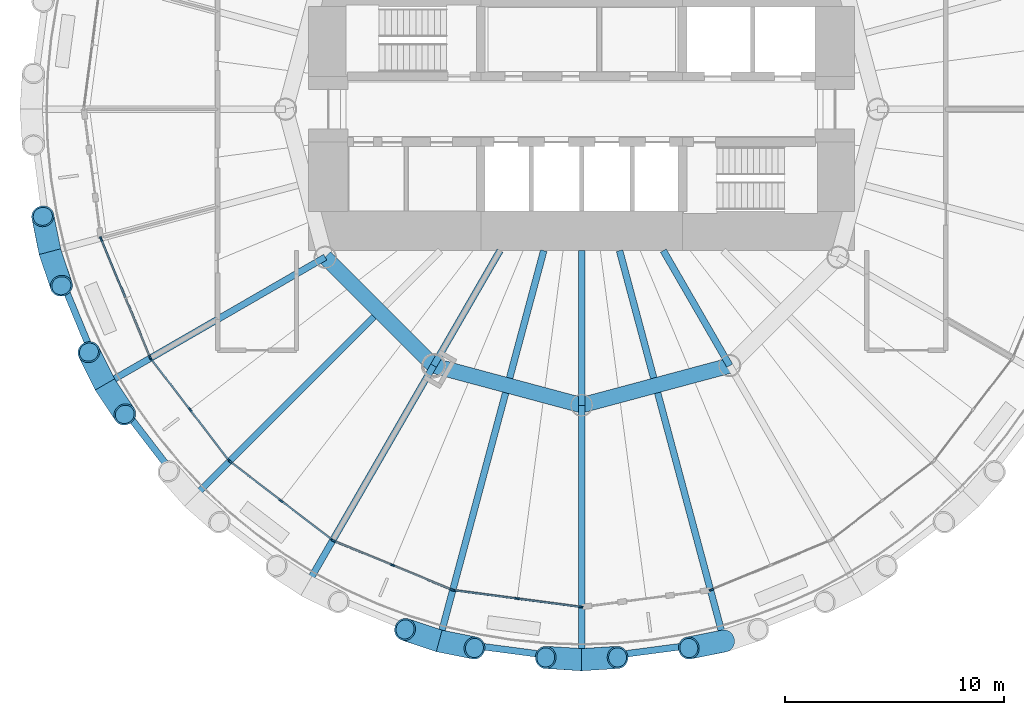
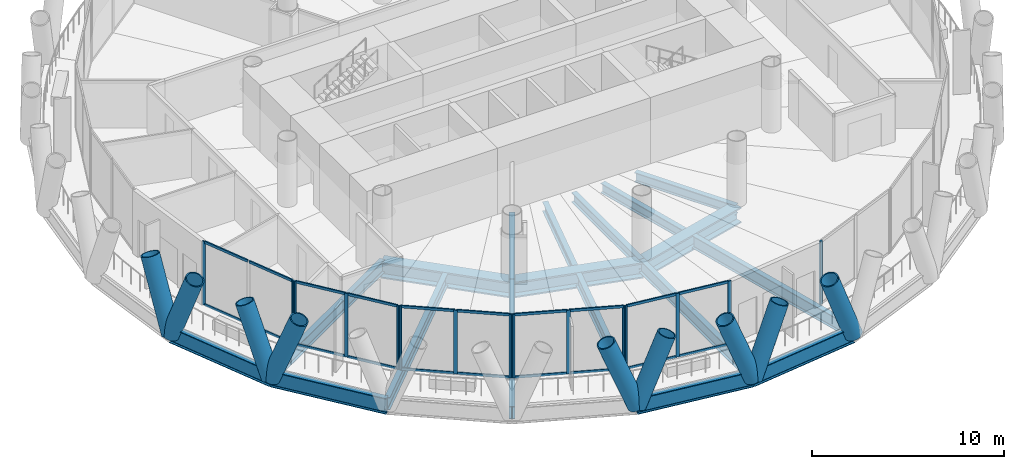
# One storey, part 2 of 14: 44 members, 18 beams, 6 elements without a shape of their own.
"""IFC4 building model written with IfcOpenShell, lengths in metres."""

import ifcopenshell
import ifcopenshell.guid

model = None  # the IFC model being written
_history = None  # IfcOwnerHistory: only IFC2X3 demands one
_inside = {}  # id of a spatial element -> (the spatial element, [elements in it])
_under = {}  # id of a project, library or spatial element -> (it, [spatial elements below it])
_declared = {}  # id of a project -> (the project, [libraries it declares])
_typed = {}  # id of a type object -> (the type object, [elements of that type])
_made_of = {}  # id of a material, layer set ... -> (it, [elements and type objects made of it])


def new_model(schema):
    """Start an empty IFC model of exactly this schema.

    Asked for "IFC4X3", IfcOpenShell would pick the latest addendum, in which some entities
    have other attributes; the version numbers below select the first issue.
    IFC2X3 requires an IfcOwnerHistory on every rooted entity: one is made here for all.
    """
    global model, _history
    if schema == "IFC4X3":
        model = ifcopenshell.file(schema_version=(4, 3, 0, 0))
    else:
        model = ifcopenshell.file(schema=schema)
    _inside.clear()
    _under.clear()
    _declared.clear()
    _typed.clear()
    _made_of.clear()
    _history = None
    if model.schema == "IFC2X3":
        org = make("IfcOrganization", Name="unknown")
        user = make(
            "IfcPersonAndOrganization",
            ThePerson=make("IfcPerson", FamilyName="unknown"),
            TheOrganization=org,
        )
        app = make(
            "IfcApplication",
            ApplicationDeveloper=org,
            Version="unknown",
            ApplicationFullName="unknown",
            ApplicationIdentifier="unknown",
        )
        _history = make(
            "IfcOwnerHistory",
            OwningUser=user,
            OwningApplication=app,
            ChangeAction="ADDED",
            CreationDate=0,
        )
    return model


def make(cls, **values):
    """One entity of the class cls with the attributes given. An attribute that is None is left unset."""
    return model.create_entity(
        cls, **{name: value for name, value in values.items() if value is not None}
    )


def rooted(cls, **values):
    """An entity with a GlobalId (a new one), such as an element, a storey or a relation."""
    return make(cls, GlobalId=ifcopenshell.guid.new(), OwnerHistory=_history, **values)


def si_unit(unit_type, name, prefix=None):
    """IfcSIUnit, for example si_unit("LENGTHUNIT", "METRE", prefix="MILLI")."""
    return make("IfcSIUnit", UnitType=unit_type, Prefix=prefix, Name=name)


def assignment(units):
    """IfcUnitAssignment: the units of a project."""
    return None if units is None else make("IfcUnitAssignment", Units=units)


def point(xyz):
    """IfcCartesianPoint."""
    return None if xyz is None else make("IfcCartesianPoint", Coordinates=xyz)


def direction(xyz):
    """IfcDirection."""
    return None if xyz is None else make("IfcDirection", DirectionRatios=xyz)


def frame(location, z_axis=None, x_axis=None):
    """IfcAxis2Placement3D, a coordinate frame: its origin and axes. An axis left out is left unset."""
    return make(
        "IfcAxis2Placement3D",
        Location=point(location),
        Axis=direction(z_axis),
        RefDirection=direction(x_axis),
    )


def frame_2d(location, x_axis=None):
    """IfcAxis2Placement2D, a coordinate frame in the plane: its origin and x axis."""
    return make(
        "IfcAxis2Placement2D", Location=point(location), RefDirection=direction(x_axis)
    )


def origin():
    """The frame at (0, 0, 0) with its axes left unset."""
    return frame((0.0, 0.0, 0.0))


def origin_2d():
    """The frame at (0, 0) in the plane with its x axis left unset."""
    return frame_2d((0.0, 0.0))


def place(relative_to, where):
    """IfcLocalPlacement: puts the frame where relative to a parent placement (None: the world)."""
    return make(
        "IfcLocalPlacement", PlacementRelTo=relative_to, RelativePlacement=where
    )


def context(
    kind, dimensions, precision=None, world=None, true_north=None, identifier=None
):
    """IfcGeometricRepresentationContext, for example the 3D "Model" context."""
    return make(
        "IfcGeometricRepresentationContext",
        ContextIdentifier=identifier,
        ContextType=kind,
        CoordinateSpaceDimension=dimensions,
        Precision=precision,
        WorldCoordinateSystem=world,
        TrueNorth=true_north,
    )


def subcontext(parent, identifier, kind, view, scale=None):
    """IfcGeometricRepresentationSubContext, for example "Body" below "Model"."""
    return make(
        "IfcGeometricRepresentationSubContext",
        ContextIdentifier=identifier,
        ContextType=kind,
        ParentContext=parent,
        TargetScale=scale,
        TargetView=view,
    )


def project(units=None, contexts=None):
    """IfcProject with its units and contexts."""
    return rooted(
        "IfcProject",
        Name="project",
        RepresentationContexts=contexts,
        UnitsInContext=assignment(units),
    )


def spatial(cls, under=None, at=None, **own):
    """A site, building, storey or space (cls), placed at a placement, below another one or the project."""
    s = rooted(cls, ObjectPlacement=at, **own)
    if under is not None:
        _under.setdefault(under.id(), (under, []))[1].append(s)
    return s


def profile(cls, at=None, kind="AREA", **sizes):
    """A parametric profile (cls). Its sizes go by their IFC names, for example OverallWidth=200.0."""
    return make(cls, ProfileType=kind, Position=at, **sizes)


def rectangle(**sizes):
    """IfcRectangleProfileDef."""
    return profile("IfcRectangleProfileDef", **sizes)


def hollow_circle(**sizes):
    """IfcCircleHollowProfileDef."""
    return profile("IfcCircleHollowProfileDef", **sizes)


def i_section(**sizes):
    """IfcIShapeProfileDef."""
    return profile("IfcIShapeProfileDef", **sizes)


def extrude(swept, where, along, depth):
    """IfcExtrudedAreaSolid: the profile swept, set in the frame where, extruded along a direction by depth."""
    return make(
        "IfcExtrudedAreaSolid",
        SweptArea=swept,
        Position=where,
        ExtrudedDirection=direction(along),
        Depth=depth,
    )


def shape(context_of_items, identifier, shape_type, items):
    """IfcShapeRepresentation: the items that make up one representation, for example the "Body"."""
    return make(
        "IfcShapeRepresentation",
        ContextOfItems=context_of_items,
        RepresentationIdentifier=identifier,
        RepresentationType=shape_type,
        Items=items,
    )


def material(Name=None, Category=None):
    """IfcMaterial."""
    return make("IfcMaterial", Name=Name, Category=Category)


def material_profile(
    of_material, cross_section, Name=None, Category=None, Priority=None
):
    """IfcMaterialProfile: a cross section and its material."""
    return make(
        "IfcMaterialProfile",
        Name=Name,
        Material=of_material,
        Profile=cross_section,
        Priority=Priority,
        Category=Category,
    )


def profile_set(profiles, Name=None, composite=None):
    """IfcMaterialProfileSet."""
    return make(
        "IfcMaterialProfileSet",
        Name=Name,
        MaterialProfiles=profiles,
        CompositeProfile=composite,
    )


def made_of(thing, what):
    """Note that an element or type object is made of a material, layer set ...; save() writes the relation."""
    if what is not None:
        _made_of.setdefault(what.id(), (what, []))[1].append(thing)
    return thing


def type_object(cls, material=None, **own):
    """A type object (cls), such as IfcWallType, which elements share."""
    return made_of(rooted(cls, **own), material)


def element(
    cls,
    number,
    at=None,
    inside=None,
    cuts=None,
    type_object=None,
    material=None,
    context=None,
    identifier="Body",
    shape_type=None,
    held_by="IfcProductDefinitionShape",
    body=None,
    shapes=None,
    **own,
):
    """One element of the class cls, such as IfcWall. Its Tag is "e" and its number.

    at: its placement. inside: the storey or other place that contains it. cuts: it is an
    opening in that element (IfcRelVoidsElement). A single representation is given by context,
    identifier, shape_type and body (its items); several are given by shapes. held_by: the class
    of the entity that holds the representations. save() writes the other relations.
    """
    e = rooted(cls, Tag="e%d" % number, ObjectPlacement=at, **own)
    if body is not None:
        shapes = [shape(context, identifier, shape_type, body)]
    if shapes is not None:
        e.Representation = make(held_by, Representations=shapes)
    if inside is not None:
        _inside.setdefault(inside.id(), (inside, []))[1].append(e)
    if cuts is not None:
        rooted(
            "IfcRelVoidsElement", RelatingBuildingElement=cuts, RelatedOpeningElement=e
        )
    if type_object is not None:
        _typed.setdefault(type_object.id(), (type_object, []))[1].append(e)
    return made_of(e, material)


def aggregate(whole, parts):
    """IfcRelAggregates: a whole, such as a stair, and the parts it consists of."""
    return rooted("IfcRelAggregates", RelatingObject=whole, RelatedObjects=parts)


def save(model, path):
    """Write the relations noted so far, then the file.

    IfcRelAggregates (storeys below a building ...), IfcRelContainedInSpatialStructure (elements
    in a storey), IfcRelDefinesByType, IfcRelAssociatesMaterial and IfcRelDeclares: one each for
    every whole, place, type object, material and project.
    """
    for whole, parts in _under.values():
        aggregate(whole, parts)
    for where, things in _inside.values():
        rooted(
            "IfcRelContainedInSpatialStructure",
            RelatedElements=things,
            RelatingStructure=where,
        )
    for kind, things in _typed.values():
        rooted("IfcRelDefinesByType", RelatedObjects=things, RelatingType=kind)
    for what, things in _made_of.values():
        rooted("IfcRelAssociatesMaterial", RelatedObjects=things, RelatingMaterial=what)
    for by, libraries in _declared.values():
        rooted("IfcRelDeclares", RelatingContext=by, RelatedDefinitions=libraries)
    model.write(path)


model = new_model("IFC4")

# Units and contexts
model_context = context("Model", 3, precision=1e-05, world=origin(), true_north=direction((0.0, 1.0)))
body_context = subcontext(model_context, "Body", "Model", "MODEL_VIEW")
ifc_project = project(units=[si_unit("LENGTHUNIT", "METRE"), si_unit("AREAUNIT", "SQUARE_METRE"), si_unit("VOLUMEUNIT", "CUBIC_METRE"), si_unit("PLANEANGLEUNIT", "RADIAN"), si_unit("MASSUNIT", "GRAM", prefix="KILO")], contexts=[model_context])

# Site, building, storey
site_placement = place(None, origin())
site = spatial("IfcSite", under=ifc_project, at=site_placement, CompositionType="ELEMENT")
building_placement = place(site_placement, origin())
building = spatial("IfcBuilding", under=site, at=building_placement, Name="Qaws Media Tower", CompositionType="ELEMENT")
storey_placement = place(building_placement, frame((0.0, 0.0, 126.800048828125)))
storey = spatial("IfcBuildingStorey", under=building, at=storey_placement, Name="L28", CompositionType="ELEMENT", Elevation=126.800048828125)

# Curtain wall, members
ifc_material_1 = material(Name="Aluminium and clear glass", Category="aluminium")
curtain_wall_type = type_object("IfcCurtainWallType", Name="Unitised curtain wall CW-B", PredefinedType="NOTDEFINED", material=ifc_material_1)
curtain_wall_1_placement = place(storey_placement, origin())
curtain_wall_1 = element("IfcCurtainWall", 1, at=curtain_wall_1_placement, inside=storey, type_object=curtain_wall_type, Name="CWB curtain wall L28-14", PredefinedType="NOTDEFINED")
ifc_material_2 = material(Name="Aluminium mullion", Category="aluminium")
ifc_material_profile_1 = material_profile(ifc_material_2, rectangle(XDim=0.080078125, YDim=0.199951171875, at=origin_2d()), Name="80x200")
ifc_profile_set_1 = profile_set([ifc_material_profile_1], Name="Aluminium mullion")
member_type_1 = type_object("IfcMemberType", Name="Curtain wall mullion 80x200", PredefinedType="MULLION", material=ifc_profile_set_1)
member_1_placement = place(storey_placement, frame((38.0888671875, 44.087890625, 0.0), z_axis=(0.0, 0.0, 1.0), x_axis=(0.923879575765, 0.382683327941, 0.0)))
member_1 = element("IfcMember", 2, at=member_1_placement, type_object=member_type_1, Name="CWB mullion 1", PredefinedType="MULLION", context=body_context, shape_type="SweptSolid", body=[
    extrude(rectangle(XDim=0.080078125, YDim=0.199951171875, at=origin_2d()), origin(), (0.0, 0.0, 1.0), 4.0400390625),
])
member_2_placement = place(storey_placement, frame((40.325927734375, 38.68701171875, 0.0), z_axis=(0.0, 0.0, 1.0), x_axis=(0.923879575765, 0.382683327941, 0.0)))
member_2 = element("IfcMember", 3, at=member_2_placement, type_object=member_type_1, Name="CWB mullion 3", PredefinedType="MULLION", context=body_context, shape_type="SweptSolid", body=[
    extrude(rectangle(XDim=0.080078125, YDim=0.199951171875, at=origin_2d()), origin(), (0.0, 0.0, 1.0), 4.0400390625),
])

curtain_wall_2_placement = place(storey_placement, origin())
curtain_wall_2 = element("IfcCurtainWall", 4, at=curtain_wall_2_placement, inside=storey, type_object=curtain_wall_type, Name="CWB curtain wall L28-15", PredefinedType="NOTDEFINED")
member_3_placement = place(storey_placement, frame((40.365478515625, 38.6181640625, 0.0), z_axis=(0.0, 0.0, 1.0), x_axis=(0.793353322718, 0.608761451911, 0.0)))
member_3 = element("IfcMember", 5, at=member_3_placement, type_object=member_type_1, Name="CWB mullion 1", PredefinedType="MULLION", context=body_context, shape_type="SweptSolid", body=[
    extrude(rectangle(XDim=0.080078125, YDim=0.199951171875, at=origin_2d()), origin(), (0.0, 0.0, 1.0), 4.0400390625),
])
member_4_placement = place(storey_placement, frame((42.14501953125, 36.29931640625, 0.0), z_axis=(0.0, 0.0, 1.0), x_axis=(0.793353322718, 0.608761451911, 0.0)))
member_4 = element("IfcMember", 6, at=member_4_placement, type_object=member_type_1, Name="CWB mullion 2", PredefinedType="MULLION", context=body_context, shape_type="SweptSolid", body=[
    extrude(rectangle(XDim=0.080078125, YDim=0.199951171875, at=origin_2d()), origin(), (0.0, 0.0, 1.0), 4.0400390625),
])
member_5_placement = place(storey_placement, frame((43.92431640625, 33.98046875, 0.0), z_axis=(0.0, 0.0, 1.0), x_axis=(0.793353322718, 0.608761451911, 0.0)))
member_5 = element("IfcMember", 7, at=member_5_placement, type_object=member_type_1, Name="CWB mullion 3", PredefinedType="MULLION", context=body_context, shape_type="SweptSolid", body=[
    extrude(rectangle(XDim=0.080078125, YDim=0.199951171875, at=origin_2d()), origin(), (0.0, 0.0, 1.0), 4.0400390625),
])

curtain_wall_3_placement = place(storey_placement, origin())
curtain_wall_3 = element("IfcCurtainWall", 8, at=curtain_wall_3_placement, inside=storey, type_object=curtain_wall_type, Name="CWB curtain wall L28-16", PredefinedType="NOTDEFINED")
member_6_placement = place(storey_placement, frame((43.98046875, 33.92431640625, 0.0), z_axis=(0.0, 0.0, 1.0), x_axis=(0.608761451911, 0.793353322718, 0.0)))
member_6 = element("IfcMember", 9, at=member_6_placement, type_object=member_type_1, Name="CWB mullion 1", PredefinedType="MULLION", context=body_context, shape_type="SweptSolid", body=[
    extrude(rectangle(XDim=0.080078125, YDim=0.199951171875, at=origin_2d()), origin(), (0.0, 0.0, 1.0), 4.0400390625),
])
member_7_placement = place(storey_placement, frame((46.29931640625, 32.14501953125, 0.0), z_axis=(0.0, 0.0, 1.0), x_axis=(0.608761451911, 0.793353322718, 0.0)))
member_7 = element("IfcMember", 10, at=member_7_placement, type_object=member_type_1, Name="CWB mullion 2", PredefinedType="MULLION", context=body_context, shape_type="SweptSolid", body=[
    extrude(rectangle(XDim=0.080078125, YDim=0.199951171875, at=origin_2d()), origin(), (0.0, 0.0, 1.0), 4.0400390625),
])
member_8_placement = place(storey_placement, frame((48.6181640625, 30.365478515625, 0.0), z_axis=(0.0, 0.0, 1.0), x_axis=(0.608761451911, 0.793353322718, 0.0)))
member_8 = element("IfcMember", 11, at=member_8_placement, type_object=member_type_1, Name="CWB mullion 3", PredefinedType="MULLION", context=body_context, shape_type="SweptSolid", body=[
    extrude(rectangle(XDim=0.080078125, YDim=0.199951171875, at=origin_2d()), origin(), (0.0, 0.0, 1.0), 4.0400390625),
])

curtain_wall_4_placement = place(storey_placement, origin())
curtain_wall_4 = element("IfcCurtainWall", 12, at=curtain_wall_4_placement, inside=storey, type_object=curtain_wall_type, Name="CWB curtain wall L28-17", PredefinedType="NOTDEFINED")
member_9_placement = place(storey_placement, frame((48.68701171875, 30.325927734375, 0.0), z_axis=(0.0, 0.0, 1.0), x_axis=(0.382683327941, 0.923879575765, 0.0)))
member_9 = element("IfcMember", 13, at=member_9_placement, type_object=member_type_1, Name="CWB mullion 1", PredefinedType="MULLION", context=body_context, shape_type="SweptSolid", body=[
    extrude(rectangle(XDim=0.080078125, YDim=0.199951171875, at=origin_2d()), origin(), (0.0, 0.0, 1.0), 4.0400390625),
])
member_10_placement = place(storey_placement, frame((51.387451171875, 29.207275390625, 0.0), z_axis=(0.0, 0.0, 1.0), x_axis=(0.382683327941, 0.923879575765, 0.0)))
member_10 = element("IfcMember", 14, at=member_10_placement, type_object=member_type_1, Name="CWB mullion 2", PredefinedType="MULLION", context=body_context, shape_type="SweptSolid", body=[
    extrude(rectangle(XDim=0.080078125, YDim=0.199951171875, at=origin_2d()), origin(), (0.0, 0.0, 1.0), 4.0400390625),
])
member_11_placement = place(storey_placement, frame((54.087890625, 28.0888671875, 0.0), z_axis=(0.0, 0.0, 1.0), x_axis=(0.382683327941, 0.923879575765, 0.0)))
member_11 = element("IfcMember", 15, at=member_11_placement, type_object=member_type_1, Name="CWB mullion 3", PredefinedType="MULLION", context=body_context, shape_type="SweptSolid", body=[
    extrude(rectangle(XDim=0.080078125, YDim=0.199951171875, at=origin_2d()), origin(), (0.0, 0.0, 1.0), 4.0400390625),
])

curtain_wall_5_placement = place(storey_placement, origin())
curtain_wall_5 = element("IfcCurtainWall", 16, at=curtain_wall_5_placement, inside=storey, type_object=curtain_wall_type, Name="CWB curtain wall L28-18", PredefinedType="NOTDEFINED")
member_12_placement = place(storey_placement, frame((54.16455078125, 28.068359375, 0.0), z_axis=(0.0, 0.0, 1.0), x_axis=(0.130526241882, 0.991444854836, 0.0)))
member_12 = element("IfcMember", 17, at=member_12_placement, type_object=member_type_1, Name="CWB mullion 1", PredefinedType="MULLION", context=body_context, shape_type="SweptSolid", body=[
    extrude(rectangle(XDim=0.080078125, YDim=0.199951171875, at=origin_2d()), origin(), (0.0, 0.0, 1.0), 4.0400390625),
])
member_13_placement = place(storey_placement, frame((57.0625, 27.686767578125, 0.0), z_axis=(0.0, 0.0, 1.0), x_axis=(0.130526241882, 0.991444854836, 0.0)))
member_13 = element("IfcMember", 18, at=member_13_placement, type_object=member_type_1, Name="CWB mullion 2", PredefinedType="MULLION", context=body_context, shape_type="SweptSolid", body=[
    extrude(rectangle(XDim=0.080078125, YDim=0.199951171875, at=origin_2d()), origin(), (0.0, 0.0, 1.0), 4.0400390625),
])
member_14_placement = place(storey_placement, frame((59.96044921875, 27.30517578125, 0.0), z_axis=(0.0, 0.0, 1.0), x_axis=(0.130526241882, 0.991444854836, 0.0)))
member_14 = element("IfcMember", 19, at=member_14_placement, type_object=member_type_1, Name="CWB mullion 3", PredefinedType="MULLION", context=body_context, shape_type="SweptSolid", body=[
    extrude(rectangle(XDim=0.080078125, YDim=0.199951171875, at=origin_2d()), origin(), (0.0, 0.0, 1.0), 4.0400390625),
])

# Curtain wall, member
curtain_wall_6_placement = place(storey_placement, origin())
curtain_wall_6 = element("IfcCurtainWall", 20, at=curtain_wall_6_placement, inside=storey, type_object=curtain_wall_type, Name="CWB curtain wall L28-20", PredefinedType="NOTDEFINED")
member_15_placement = place(storey_placement, frame((65.912109375, 28.0888671875, 0.0), z_axis=(0.0, 0.0, 1.0), x_axis=(-0.382683327941, 0.923879575765, 0.0)))
member_15 = element("IfcMember", 21, at=member_15_placement, type_object=member_type_1, Name="CWB mullion 1", PredefinedType="MULLION", context=body_context, shape_type="SweptSolid", body=[
    extrude(rectangle(XDim=0.080078125, YDim=0.199951171875, at=origin_2d()), origin(), (0.0, 0.0, 1.0), 4.0400390625),
])
aggregate(curtain_wall_6, [member_15])

# Member
ifc_material_3 = material(Name="Aluminium transom", Category="aluminium")
ifc_material_profile_2 = material_profile(ifc_material_3, rectangle(XDim=0.080078125, YDim=0.159912109375, at=origin_2d()), Name="80x160")
ifc_profile_set_2 = profile_set([ifc_material_profile_2], Name="Aluminium transom")
member_type_2 = type_object("IfcMemberType", Name="Curtain wall transom 80x160", PredefinedType="USERDEFINED", material=ifc_profile_set_2)
member_16_placement = place(storey_placement, frame((38.10400390625, 44.05078125, 0.0400390625), z_axis=(0.382748704437, -0.923852493232, 0.0), x_axis=(0.923852493232, 0.382748704437, 0.0)))
member_16 = element("IfcMember", 22, at=member_16_placement, type_object=member_type_2, Name="CWB transom 1.1", ObjectType="TRANSOM", PredefinedType="USERDEFINED", context=body_context, shape_type="SweptSolid", body=[
    extrude(rectangle(XDim=0.080078125, YDim=0.159912109375, at=origin_2d()), origin(), (0.0, 0.0, 1.0), 2.843017578125),
])

member_17_placement = place(storey_placement, frame((38.10400390625, 44.05078125, 4.0), z_axis=(0.382748704437, -0.923852493232, 0.0), x_axis=(0.923852493232, 0.382748704437, 0.0)))
member_17 = element("IfcMember", 23, at=member_17_placement, type_object=member_type_2, Name="CWB transom 1.2", ObjectType="TRANSOM", PredefinedType="USERDEFINED", context=body_context, shape_type="SweptSolid", body=[
    extrude(rectangle(XDim=0.080078125, YDim=0.159912109375, at=origin_2d()), origin(), (0.0, 0.0, 1.0), 2.843017578125),
])

member_18_placement = place(storey_placement, frame((39.22265625, 41.350341796875, 0.0400390625), z_axis=(0.382675405483, -0.923882857314, 0.0), x_axis=(0.923882857314, 0.382675405483, 0.0)))
member_18 = element("IfcMember", 24, at=member_18_placement, type_object=member_type_2, Name="CWB transom 2.1", ObjectType="TRANSOM", PredefinedType="USERDEFINED", context=body_context, shape_type="SweptSolid", body=[
    extrude(rectangle(XDim=0.080078125, YDim=0.159912109375, at=origin_2d()), origin(), (0.0, 0.0, 1.0), 2.8427734375),
])

member_19_placement = place(storey_placement, frame((39.22265625, 41.350341796875, 4.0), z_axis=(0.382675405483, -0.923882857314, 0.0), x_axis=(0.923882857314, 0.382675405483, 0.0)))
member_19 = element("IfcMember", 25, at=member_19_placement, type_object=member_type_2, Name="CWB transom 2.2", ObjectType="TRANSOM", PredefinedType="USERDEFINED", context=body_context, shape_type="SweptSolid", body=[
    extrude(rectangle(XDim=0.080078125, YDim=0.159912109375, at=origin_2d()), origin(), (0.0, 0.0, 1.0), 2.8427734375),
])

aggregate(curtain_wall_1, [member_1, member_2, member_16, member_17, member_18, member_19])

member_20_placement = place(storey_placement, frame((40.389892578125, 38.58642578125, 0.0400390625), z_axis=(0.608784848689, -0.79333536919, 0.0), x_axis=(0.79333536919, 0.608784848689, 0.0)))
member_20 = element("IfcMember", 26, at=member_20_placement, type_object=member_type_2, Name="CWB transom 1.1", ObjectType="TRANSOM", PredefinedType="USERDEFINED", context=body_context, shape_type="SweptSolid", body=[
    extrude(rectangle(XDim=0.080078125, YDim=0.159912109375, at=origin_2d()), origin(), (0.0, 0.0, 1.0), 2.843017578125),
])

member_21_placement = place(storey_placement, frame((40.389892578125, 38.58642578125, 4.0), z_axis=(0.608784848689, -0.79333536919, 0.0), x_axis=(0.79333536919, 0.608784848689, 0.0)))
member_21 = element("IfcMember", 27, at=member_21_placement, type_object=member_type_2, Name="CWB transom 1.2", ObjectType="TRANSOM", PredefinedType="USERDEFINED", context=body_context, shape_type="SweptSolid", body=[
    extrude(rectangle(XDim=0.080078125, YDim=0.159912109375, at=origin_2d()), origin(), (0.0, 0.0, 1.0), 2.843017578125),
])

member_22_placement = place(storey_placement, frame((42.169189453125, 36.267578125, 0.0400390625), z_axis=(0.608784848689, -0.79333536919, 0.0), x_axis=(0.79333536919, 0.608784848689, 0.0)))
member_22 = element("IfcMember", 28, at=member_22_placement, type_object=member_type_2, Name="CWB transom 2.1", ObjectType="TRANSOM", PredefinedType="USERDEFINED", context=body_context, shape_type="SweptSolid", body=[
    extrude(rectangle(XDim=0.080078125, YDim=0.159912109375, at=origin_2d()), origin(), (0.0, 0.0, 1.0), 2.843017578125),
])

member_23_placement = place(storey_placement, frame((42.169189453125, 36.267578125, 4.0), z_axis=(0.608784848689, -0.79333536919, 0.0), x_axis=(0.79333536919, 0.608784848689, 0.0)))
member_23 = element("IfcMember", 29, at=member_23_placement, type_object=member_type_2, Name="CWB transom 2.2", ObjectType="TRANSOM", PredefinedType="USERDEFINED", context=body_context, shape_type="SweptSolid", body=[
    extrude(rectangle(XDim=0.080078125, YDim=0.159912109375, at=origin_2d()), origin(), (0.0, 0.0, 1.0), 2.843017578125),
])

aggregate(curtain_wall_2, [member_3, member_4, member_5, member_20, member_21, member_22, member_23])

member_24_placement = place(storey_placement, frame((44.01220703125, 33.89990234375, 0.0400390625), z_axis=(0.79333536919, -0.608784848689, 0.0), x_axis=(0.608784848689, 0.79333536919, 0.0)))
member_24 = element("IfcMember", 30, at=member_24_placement, type_object=member_type_2, Name="CWB transom 1.1", ObjectType="TRANSOM", PredefinedType="USERDEFINED", context=body_context, shape_type="SweptSolid", body=[
    extrude(rectangle(XDim=0.080078125, YDim=0.159912109375, at=origin_2d()), origin(), (0.0, 0.0, 1.0), 2.843017578125),
])

member_25_placement = place(storey_placement, frame((44.01220703125, 33.89990234375, 4.0), z_axis=(0.79333536919, -0.608784848689, 0.0), x_axis=(0.608784848689, 0.79333536919, 0.0)))
member_25 = element("IfcMember", 31, at=member_25_placement, type_object=member_type_2, Name="CWB transom 1.2", ObjectType="TRANSOM", PredefinedType="USERDEFINED", context=body_context, shape_type="SweptSolid", body=[
    extrude(rectangle(XDim=0.080078125, YDim=0.159912109375, at=origin_2d()), origin(), (0.0, 0.0, 1.0), 2.843017578125),
])

member_26_placement = place(storey_placement, frame((46.3310546875, 32.12060546875, 0.0400390625), z_axis=(0.79333536919, -0.608784848689, 0.0), x_axis=(0.608784848689, 0.79333536919, 0.0)))
member_26 = element("IfcMember", 32, at=member_26_placement, type_object=member_type_2, Name="CWB transom 2.1", ObjectType="TRANSOM", PredefinedType="USERDEFINED", context=body_context, shape_type="SweptSolid", body=[
    extrude(rectangle(XDim=0.080078125, YDim=0.159912109375, at=origin_2d()), origin(), (0.0, 0.0, 1.0), 2.843017578125),
])

member_27_placement = place(storey_placement, frame((46.3310546875, 32.12060546875, 4.0), z_axis=(0.79333536919, -0.608784848689, 0.0), x_axis=(0.608784848689, 0.79333536919, 0.0)))
member_27 = element("IfcMember", 33, at=member_27_placement, type_object=member_type_2, Name="CWB transom 2.2", ObjectType="TRANSOM", PredefinedType="USERDEFINED", context=body_context, shape_type="SweptSolid", body=[
    extrude(rectangle(XDim=0.080078125, YDim=0.159912109375, at=origin_2d()), origin(), (0.0, 0.0, 1.0), 2.843017578125),
])

aggregate(curtain_wall_3, [member_6, member_7, member_8, member_24, member_25, member_26, member_27])

member_28_placement = place(storey_placement, frame((48.723876953125, 30.310546875, 0.0400390625), z_axis=(0.923882857314, -0.382675405483, 0.0), x_axis=(0.382675405483, 0.923882857314, 0.0)))
member_28 = element("IfcMember", 34, at=member_28_placement, type_object=member_type_2, Name="CWB transom 1.1", ObjectType="TRANSOM", PredefinedType="USERDEFINED", context=body_context, shape_type="SweptSolid", body=[
    extrude(rectangle(XDim=0.080078125, YDim=0.159912109375, at=origin_2d()), origin(), (0.0, 0.0, 1.0), 2.8427734375),
])

member_29_placement = place(storey_placement, frame((48.723876953125, 30.310546875, 4.0), z_axis=(0.923882857314, -0.382675405483, 0.0), x_axis=(0.382675405483, 0.923882857314, 0.0)))
member_29 = element("IfcMember", 35, at=member_29_placement, type_object=member_type_2, Name="CWB transom 1.2", ObjectType="TRANSOM", PredefinedType="USERDEFINED", context=body_context, shape_type="SweptSolid", body=[
    extrude(rectangle(XDim=0.080078125, YDim=0.159912109375, at=origin_2d()), origin(), (0.0, 0.0, 1.0), 2.8427734375),
])

member_30_placement = place(storey_placement, frame((51.42431640625, 29.192138671875, 0.0400390625), z_axis=(0.923852493232, -0.382748704437, 0.0), x_axis=(0.382748704437, 0.923852493232, 0.0)))
member_30 = element("IfcMember", 36, at=member_30_placement, type_object=member_type_2, Name="CWB transom 2.1", ObjectType="TRANSOM", PredefinedType="USERDEFINED", context=body_context, shape_type="SweptSolid", body=[
    extrude(rectangle(XDim=0.080078125, YDim=0.159912109375, at=origin_2d()), origin(), (0.0, 0.0, 1.0), 2.843017578125),
])

member_31_placement = place(storey_placement, frame((51.42431640625, 29.192138671875, 4.0), z_axis=(0.923852493232, -0.382748704437, 0.0), x_axis=(0.382748704437, 0.923852493232, 0.0)))
member_31 = element("IfcMember", 37, at=member_31_placement, type_object=member_type_2, Name="CWB transom 2.2", ObjectType="TRANSOM", PredefinedType="USERDEFINED", context=body_context, shape_type="SweptSolid", body=[
    extrude(rectangle(XDim=0.080078125, YDim=0.159912109375, at=origin_2d()), origin(), (0.0, 0.0, 1.0), 2.843017578125),
])

aggregate(curtain_wall_4, [member_9, member_10, member_11, member_28, member_29, member_30, member_31])

member_32_placement = place(storey_placement, frame((54.2041015625, 28.06298828125, 0.0400390625), z_axis=(0.991444062143, -0.130532262837, 0.0), x_axis=(0.130532262837, 0.991444062143, 0.0)))
member_32 = element("IfcMember", 38, at=member_32_placement, type_object=member_type_2, Name="CWB transom 1.1", ObjectType="TRANSOM", PredefinedType="USERDEFINED", context=body_context, shape_type="SweptSolid", body=[
    extrude(rectangle(XDim=0.080078125, YDim=0.159912109375, at=origin_2d()), origin(), (0.0, 0.0, 1.0), 2.843017578125),
])

member_33_placement = place(storey_placement, frame((54.2041015625, 28.06298828125, 4.0), z_axis=(0.991444062143, -0.130532262837, 0.0), x_axis=(0.130532262837, 0.991444062143, 0.0)))
member_33 = element("IfcMember", 39, at=member_33_placement, type_object=member_type_2, Name="CWB transom 1.2", ObjectType="TRANSOM", PredefinedType="USERDEFINED", context=body_context, shape_type="SweptSolid", body=[
    extrude(rectangle(XDim=0.080078125, YDim=0.159912109375, at=origin_2d()), origin(), (0.0, 0.0, 1.0), 2.843017578125),
])

member_34_placement = place(storey_placement, frame((57.10205078125, 27.681640625, 0.0400390625), z_axis=(0.991444062143, -0.130532262837, 0.0), x_axis=(0.130532262837, 0.991444062143, 0.0)))
member_34 = element("IfcMember", 40, at=member_34_placement, type_object=member_type_2, Name="CWB transom 2.1", ObjectType="TRANSOM", PredefinedType="USERDEFINED", context=body_context, shape_type="SweptSolid", body=[
    extrude(rectangle(XDim=0.080078125, YDim=0.159912109375, at=origin_2d()), origin(), (0.0, 0.0, 1.0), 2.843017578125),
])

member_35_placement = place(storey_placement, frame((57.10205078125, 27.681640625, 4.0), z_axis=(0.991444062143, -0.130532262837, 0.0), x_axis=(0.130532262837, 0.991444062143, 0.0)))
member_35 = element("IfcMember", 41, at=member_35_placement, type_object=member_type_2, Name="CWB transom 2.2", ObjectType="TRANSOM", PredefinedType="USERDEFINED", context=body_context, shape_type="SweptSolid", body=[
    extrude(rectangle(XDim=0.080078125, YDim=0.159912109375, at=origin_2d()), origin(), (0.0, 0.0, 1.0), 2.843017578125),
])

aggregate(curtain_wall_5, [member_12, member_13, member_14, member_32, member_33, member_34, member_35])

# Members
ifc_material_4 = material(Name="Steel S460", Category="steel")
ifc_material_profile_3 = material_profile(ifc_material_4, hollow_circle(Radius=0.508056640625, WallThickness=0.070068359375, at=origin_2d()), Name="CHS 1016x70")
ifc_profile_set_3 = profile_set([ifc_material_profile_3], Name="Steel S460")
member_type_3 = type_object("IfcMemberType", Name="Diagrid member CHS 1016x70", PredefinedType="USERDEFINED", material=ifc_profile_set_3)
for number, where, z_axis, x_axis, name in (
    (42, (35.75537109375, 43.503662109375, -0.6640625), (0.11618670921, -0.34498681784, 0.931388610688), (0.947697120321, 0.319171064063, 0.0), "DG3 diagrid L28 A14"),
    (43, (35.75537109375, 43.503662109375, -0.6640625), (-0.071844373142, 0.356893826491, 0.931378109395), (-0.980333951652, -0.197345745425, 0.0), "DG3 diagrid L28 B14"),
    (44, (38.2626953125, 37.449951171875, -0.6640625), (0.201566616131, -0.303134967423, 0.931386112623), (0.832713242905, 0.553704483539, 0.0), "DG3 diagrid L28 A15"),
    (45, (38.2626953125, 37.449951171875, -0.6640625), (-0.161718616773, 0.326144274336, 0.931384454083), (-0.895909478639, -0.444236655494, 0.0), "DG3 diagrid L28 B15"),
    (46, (53.503662109375, 25.75537109375, -0.6640625), (0.356893826491, -0.071844373142, 0.931378109395), (0.197345745425, 0.980333951652, 0.0), "DG3 diagrid L28 A18"),
    (47, (53.503662109375, 25.75537109375, -0.6640625), (-0.34498681784, 0.11618670921, 0.931388610688), (-0.319171064063, -0.947697120321, 0.0), "DG3 diagrid L28 B18"),
):
    element("IfcMember", number, at=place(storey_placement, frame(where, z_axis=z_axis, x_axis=x_axis)), inside=storey, type_object=member_type_3, Name=name, ObjectType="DIAGRID", PredefinedType="USERDEFINED", context=body_context, shape_type="SweptSolid", body=[
        extrude(hollow_circle(Radius=0.508056640625, WallThickness=0.070068359375, at=origin_2d()), origin(), (0.0, 0.0, 1.0), 4.50927734375),
    ])
for number, where, z_axis, x_axis, name in (
    (48, (60.0, 24.89990234375, -0.6640625), (0.363335073708, 0.023009597128, 0.931374351512), (-0.063202252143, 0.99800073914, 0.0), "DG3 diagrid L28 A19"),
    (49, (60.0, 24.89990234375, -0.6640625), (-0.363335073708, 0.023009597128, 0.931374351512), (-0.063202252143, -0.99800073914, 0.0), "DG3 diagrid L28 B19"),
):
    element("IfcMember", number, at=place(storey_placement, frame(where, z_axis=z_axis, x_axis=x_axis)), inside=storey, type_object=member_type_3, Name=name, ObjectType="DIAGRID", PredefinedType="USERDEFINED", context=body_context, shape_type="SweptSolid", body=[
        extrude(hollow_circle(Radius=0.508056640625, WallThickness=0.070068359375, at=origin_2d()), origin(), (0.0, 0.0, 1.0), 4.509521484375),
    ])
member_36_placement = place(storey_placement, frame((66.496337890625, 25.75537109375, -0.6640625), z_axis=(-0.356893826491, -0.071844373142, 0.931378109395), x_axis=(0.197345745425, -0.980333951652, 0.0)))
element("IfcMember", 50, at=member_36_placement, inside=storey, type_object=member_type_3, Name="DG3 diagrid L28 B20", ObjectType="DIAGRID", PredefinedType="USERDEFINED", context=body_context, shape_type="SweptSolid", body=[
    extrude(hollow_circle(Radius=0.508056640625, WallThickness=0.070068359375, at=origin_2d()), origin(), (0.0, 0.0, 1.0), 4.50927734375),
])

# Beams
ifc_material_5 = material(Name="Steel S460", Category="steel")
ifc_material_profile_4 = material_profile(ifc_material_5, i_section(OverallWidth=0.302001953125, OverallDepth=1.008056640625, WebThickness=0.02099609375, FlangeThickness=0.0400390625, FilletRadius=0.030029296875, at=origin_2d()), Name="HE 1000 M")
ifc_profile_set_4 = profile_set([ifc_material_profile_4], Name="Steel S460")
beam_type_1 = type_object("IfcBeamType", Name="Edge ring beam HE 1000 M", PredefinedType="BEAM", material=ifc_profile_set_4)
for number, where, z_axis, x_axis, name in (
    (51, (35.75537109375, 43.503662109375, -0.6640625), (0.382656733729, -0.923890590997, 0.0), (0.923890590997, 0.382656733729, 0.0), "RB3 edge ring beam L28-14"),
    (52, (38.2626953125, 37.449951171875, -0.6640625), (0.608786610398, -0.793334017296, 0.0), (0.793334017296, 0.608786610398, 0.0), "RB3 edge ring beam L28-15"),
    (53, (53.503662109375, 25.75537109375, -0.6640625), (0.991440720481, -0.130557641571, 0.0), (0.130557641571, 0.991440720481, 0.0), "RB3 edge ring beam L28-18"),
    (54, (60.0, 24.89990234375, -0.6640625), (0.991440720481, 0.130557641571, 0.0), (-0.130557641571, 0.991440720481, 0.0), "RB3 edge ring beam L28-19"),
):
    element("IfcBeam", number, at=place(storey_placement, frame(where, z_axis=z_axis, x_axis=x_axis)), inside=storey, type_object=beam_type_1, Name=name, PredefinedType="BEAM", context=body_context, shape_type="SweptSolid", body=[
        extrude(i_section(OverallWidth=0.302001953125, OverallDepth=1.008056640625, WebThickness=0.02099609375, FlangeThickness=0.0400390625, FilletRadius=0.030029296875, at=origin_2d()), origin(), (0.0, 0.0, 1.0), 6.552490234375),
    ])
ifc_material_6 = material(Name="Steel S460", Category="steel")
ifc_material_profile_5 = material_profile(ifc_material_6, i_section(OverallWidth=0.699951171875, OverallDepth=1.0, WebThickness=0.034912109375, FlangeThickness=0.090087890625, at=origin_2d()), Name="PG 1000x700")
ifc_profile_set_5 = profile_set([ifc_material_profile_5], Name="Steel S460")
beam_type_2 = type_object("IfcBeamType", Name="Inner ring girder PG 1000x700", PredefinedType="BEAM", material=ifc_profile_set_5)
beam_1_placement = place(storey_placement, frame((48.30859375, 43.25, -0.66015625), z_axis=(0.707106781187, -0.707106781187, 0.0), x_axis=(0.707106781187, 0.707106781187, 0.0)))
element("IfcBeam", 55, at=beam_1_placement, inside=storey, type_object=beam_type_2, Name="B3 inner ring beam L28 I08-I09", PredefinedType="BEAM", context=body_context, shape_type="SweptSolid", body=[
    extrude(i_section(OverallWidth=0.699951171875, OverallDepth=1.0, WebThickness=0.034912109375, FlangeThickness=0.090087890625, at=origin_2d()), origin(), (0.0, 0.0, 1.0), 6.98828125),
])
for number, where, z_axis, x_axis, name in (
    (56, (53.25, 38.30859375, -0.66015625), (0.965928090778, -0.258810593767, 0.0), (0.258810593767, 0.965928090778, 0.0), "B3 inner ring beam L28 I09-I10"),
    (57, (60.0, 36.5, -0.66015625), (0.965928090778, 0.258810593767, 0.0), (-0.258810593767, 0.965928090778, 0.0), "B3 inner ring beam L28 I10-I11"),
):
    element("IfcBeam", number, at=place(storey_placement, frame(where, z_axis=z_axis, x_axis=x_axis)), inside=storey, type_object=beam_type_2, Name=name, PredefinedType="BEAM", context=body_context, shape_type="SweptSolid", body=[
        extrude(i_section(OverallWidth=0.699951171875, OverallDepth=1.0, WebThickness=0.034912109375, FlangeThickness=0.090087890625, at=origin_2d()), origin(), (0.0, 0.0, 1.0), 6.988037109375),
    ])
ifc_material_7 = material(Name="Steel S355", Category="steel")
ifc_material_profile_6 = material_profile(ifc_material_7, i_section(OverallWidth=0.304931640625, OverallDepth=0.6201171875, WebThickness=0.02099609375, FlangeThickness=0.0400390625, FilletRadius=0.027099609375, at=origin_2d()), Name="HE 600 M")
ifc_profile_set_6 = profile_set([ifc_material_profile_6], Name="Steel S355")
beam_type_3 = type_object("IfcBeamType", Name="Radial beam HE 600 M, core side", PredefinedType="BEAM", material=ifc_profile_set_6)
beam_2_placement = place(storey_placement, frame((56.276123046875, 43.550048828125, -0.469970703125), z_axis=(-0.499995978368, -0.866027725662, 0.0), x_axis=(0.866027725662, -0.499995978368, 0.0)))
element("IfcBeam", 58, at=beam_2_placement, inside=storey, type_object=beam_type_3, Name="B2 radial beam L28 17", PredefinedType="BEAM", context=body_context, shape_type="SweptSolid", body=[
    extrude(i_section(OverallWidth=0.304931640625, OverallDepth=0.6201171875, WebThickness=0.02099609375, FlangeThickness=0.0400390625, FilletRadius=0.027099609375, at=origin_2d()), origin(), (0.0, 0.0, 1.0), 6.05224609375),
])
beam_3_placement = place(storey_placement, frame((58.271728515625, 43.550048828125, -0.469970703125), z_axis=(-0.258819977482, -0.965925576458, 0.0), x_axis=(0.965925576458, -0.258819977482, 0.0)))
element("IfcBeam", 59, at=beam_3_placement, inside=storey, type_object=beam_type_3, Name="B2 radial beam L28 18", PredefinedType="BEAM", context=body_context, shape_type="SweptSolid", body=[
    extrude(i_section(OverallWidth=0.304931640625, OverallDepth=0.6201171875, WebThickness=0.02099609375, FlangeThickness=0.0400390625, FilletRadius=0.027099609375, at=origin_2d()), origin(), (0.0, 0.0, 1.0), 6.012451171875),
])
beam_4_placement = place(storey_placement, frame((60.0, 43.550048828125, -0.469970703125), z_axis=(0.0, -1.0, 0.0), x_axis=(1.0, 0.0, 0.0)))
element("IfcBeam", 60, at=beam_4_placement, inside=storey, type_object=beam_type_3, Name="B2 radial beam L28 19", PredefinedType="BEAM", context=body_context, shape_type="SweptSolid", body=[
    extrude(i_section(OverallWidth=0.304931640625, OverallDepth=0.6201171875, WebThickness=0.02099609375, FlangeThickness=0.0400390625, FilletRadius=0.027099609375, at=origin_2d()), origin(), (0.0, 0.0, 1.0), 7.050048828125),
])
beam_5_placement = place(storey_placement, frame((61.728271484375, 43.550048828125, -0.469970703125), z_axis=(0.258819977482, -0.965925576458, 0.0), x_axis=(0.965925576458, 0.258819977482, 0.0)))
element("IfcBeam", 61, at=beam_5_placement, inside=storey, type_object=beam_type_3, Name="B2 radial beam L28 20", PredefinedType="BEAM", context=body_context, shape_type="SweptSolid", body=[
    extrude(i_section(OverallWidth=0.304931640625, OverallDepth=0.6201171875, WebThickness=0.02099609375, FlangeThickness=0.0400390625, FilletRadius=0.027099609375, at=origin_2d()), origin(), (0.0, 0.0, 1.0), 6.012451171875),
])
beam_6_placement = place(storey_placement, frame((63.723876953125, 43.550048828125, -0.469970703125), z_axis=(0.499995978368, -0.866027725662, 0.0), x_axis=(0.866027725662, 0.499995978368, 0.0)))
element("IfcBeam", 62, at=beam_6_placement, inside=storey, type_object=beam_type_3, Name="B2 radial beam L28 21", PredefinedType="BEAM", context=body_context, shape_type="SweptSolid", body=[
    extrude(i_section(OverallWidth=0.304931640625, OverallDepth=0.6201171875, WebThickness=0.02099609375, FlangeThickness=0.0400390625, FilletRadius=0.027099609375, at=origin_2d()), origin(), (0.0, 0.0, 1.0), 6.05224609375),
])
ifc_material_8 = material(Name="Steel S355", Category="steel")
ifc_material_profile_7 = material_profile(ifc_material_8, i_section(OverallWidth=0.300048828125, OverallDepth=0.800048828125, WebThickness=0.017578125, FlangeThickness=0.032958984375, FilletRadius=0.030029296875, at=origin_2d()), Name="HE 800 B")
ifc_profile_set_7 = profile_set([ifc_material_profile_7], Name="Steel S355")
beam_type_4 = type_object("IfcBeamType", Name="Radial beam HE 800 B", PredefinedType="BEAM", material=ifc_profile_set_7)
beam_7_placement = place(storey_placement, frame((48.30859375, 43.25, -0.56005859375), z_axis=(-0.86602366199, -0.500003016864, 0.0), x_axis=(0.500003016864, -0.86602366199, 0.0)))
element("IfcBeam", 63, at=beam_7_placement, inside=storey, type_object=beam_type_4, Name="B1 radial beam L28 15", PredefinedType="BEAM", context=body_context, shape_type="SweptSolid", body=[
    extrude(i_section(OverallWidth=0.300048828125, OverallDepth=0.800048828125, WebThickness=0.017578125, FlangeThickness=0.032958984375, FilletRadius=0.030029296875, at=origin_2d()), origin(), (0.0, 0.0, 1.0), 11.60009765625),
])
beam_8_placement = place(storey_placement, frame((50.53173828125, 40.53173828125, -0.56005859375), z_axis=(-0.707106781187, -0.707106781187, 0.0), x_axis=(0.707106781187, -0.707106781187, 0.0)))
element("IfcBeam", 64, at=beam_8_placement, inside=storey, type_object=beam_type_4, Name="B1 radial beam L28 16", PredefinedType="BEAM", context=body_context, shape_type="SweptSolid", body=[
    extrude(i_section(OverallWidth=0.300048828125, OverallDepth=0.800048828125, WebThickness=0.017578125, FlangeThickness=0.032958984375, FilletRadius=0.030029296875, at=origin_2d()), origin(), (0.0, 0.0, 1.0), 11.709716796875),
])
beam_9_placement = place(storey_placement, frame((53.25, 38.30859375, -0.56005859375), z_axis=(-0.500003016864, -0.86602366199, 0.0), x_axis=(0.86602366199, -0.500003016864, 0.0)))
element("IfcBeam", 65, at=beam_9_placement, inside=storey, type_object=beam_type_4, Name="B1 radial beam L28 17", PredefinedType="BEAM", context=body_context, shape_type="SweptSolid", body=[
    extrude(i_section(OverallWidth=0.300048828125, OverallDepth=0.800048828125, WebThickness=0.017578125, FlangeThickness=0.032958984375, FilletRadius=0.030029296875, at=origin_2d()), origin(), (0.0, 0.0, 1.0), 11.60009765625),
])
beam_10_placement = place(storey_placement, frame((56.534423828125, 37.066162109375, -0.56005859375), z_axis=(-0.258822582828, -0.965924878351, 0.0), x_axis=(0.965924878351, -0.258822582828, 0.0)))
element("IfcBeam", 66, at=beam_10_placement, inside=storey, type_object=beam_type_4, Name="B1 radial beam L28 18", PredefinedType="BEAM", context=body_context, shape_type="SweptSolid", body=[
    extrude(i_section(OverallWidth=0.300048828125, OverallDepth=0.800048828125, WebThickness=0.017578125, FlangeThickness=0.032958984375, FilletRadius=0.030029296875, at=origin_2d()), origin(), (0.0, 0.0, 1.0), 11.709716796875),
])
beam_11_placement = place(storey_placement, frame((60.0, 36.5, -0.56005859375), z_axis=(0.0, -1.0, 0.0), x_axis=(1.0, 0.0, 0.0)))
element("IfcBeam", 67, at=beam_11_placement, inside=storey, type_object=beam_type_4, Name="B1 radial beam L28 19", PredefinedType="BEAM", context=body_context, shape_type="SweptSolid", body=[
    extrude(i_section(OverallWidth=0.300048828125, OverallDepth=0.800048828125, WebThickness=0.017578125, FlangeThickness=0.032958984375, FilletRadius=0.030029296875, at=origin_2d()), origin(), (0.0, 0.0, 1.0), 11.60009765625),
])
beam_12_placement = place(storey_placement, frame((63.465576171875, 37.066162109375, -0.56005859375), z_axis=(0.258822582828, -0.965924878351, 0.0), x_axis=(0.965924878351, 0.258822582828, 0.0)))
element("IfcBeam", 68, at=beam_12_placement, inside=storey, type_object=beam_type_4, Name="B1 radial beam L28 20", PredefinedType="BEAM", context=body_context, shape_type="SweptSolid", body=[
    extrude(i_section(OverallWidth=0.300048828125, OverallDepth=0.800048828125, WebThickness=0.017578125, FlangeThickness=0.032958984375, FilletRadius=0.030029296875, at=origin_2d()), origin(), (0.0, 0.0, 1.0), 11.709716796875),
])

save(model, "model.ifc")
